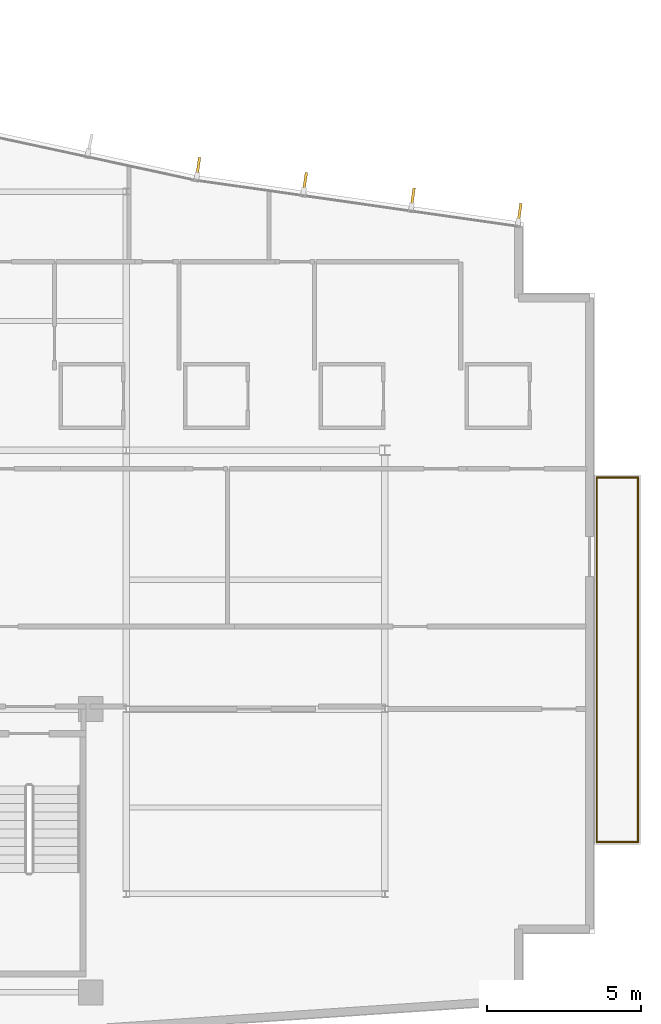
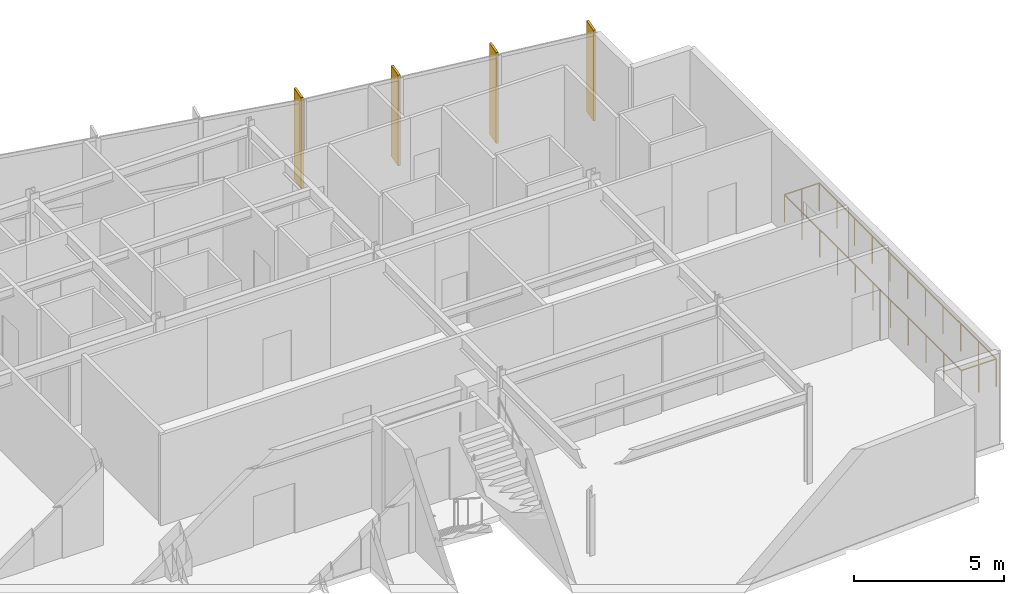
# One storey, part 15 of 16: 4 railings, 4 shading devices.
"""IFC4 building model written with IfcOpenShell, lengths in metres."""

from ifc_helpers import new_model, si_unit, direction, frame, origin, origin_2d, place, context, subcontext, project, spatial, rectangle, circle, extrude, material, layer, layer_set, type_object, element, save


model = new_model("IFC4")

# Units and contexts
model_context = context("Model", 3, precision=1e-05, world=origin(), true_north=direction((0.0, 1.0)))
body_context = subcontext(model_context, "Body", "Model", "MODEL_VIEW")
ifc_project = project(units=[si_unit("LENGTHUNIT", "METRE"), si_unit("AREAUNIT", "SQUARE_METRE"), si_unit("VOLUMEUNIT", "CUBIC_METRE"), si_unit("PLANEANGLEUNIT", "RADIAN"), si_unit("MASSUNIT", "GRAM", prefix="KILO")], contexts=[model_context])

# Site, building, storey
site_placement = place(None, origin())
site = spatial("IfcSite", under=ifc_project, at=site_placement, CompositionType="ELEMENT")
building_placement = place(site_placement, origin())
building = spatial("IfcBuilding", under=site, at=building_placement, Name="Varnakote Quay Hospital", CompositionType="ELEMENT")
storey_placement = place(building_placement, frame((0.0, 0.0, 292.10009765625)))
storey = spatial("IfcBuildingStorey", under=building, at=storey_placement, Name="L72", CompositionType="ELEMENT", Elevation=292.10009765625)

# Railings
ifc_material_1 = material(Name="Anodised aluminium 6063-T6 Bronze", Category="aluminium")
railing_type = type_object("IfcRailingType", Name="RLG-EXT-GUARD-1150", PredefinedType="GUARDRAIL", material=ifc_material_1)
railing_1_placement = place(storey_placement, frame((40.47607421875, 7.679931640625, 0.0)))
element("IfcRailing", 1, at=railing_1_placement, inside=storey, type_object=railing_type, Name="L72 Zigzag Prow Healing Terrace Safety Guard", PredefinedType="GUARDRAIL", context=body_context, shape_type="SweptSolid", body=[
    extrude(circle(Radius=0.02392578125, at=origin_2d()), frame((0.0, 0.0, 1.1259765625), z_axis=(0.0, 1.0, 0.0), x_axis=(-1.0, 0.0, 0.0)), (0.0, 0.0, 1.0), 11.840087890625),
    extrude(circle(Radius=0.02099609375, at=origin_2d()), origin(), (0.0, 0.0, 1.0), 1.101806640625),
    extrude(circle(Radius=0.02099609375, at=origin_2d()), frame((0.0, 1.18408203125, 0.0)), (0.0, 0.0, 1.0), 1.101806640625),
    extrude(circle(Radius=0.02099609375, at=origin_2d()), frame((0.0, 2.367919921875, 0.0)), (0.0, 0.0, 1.0), 1.101806640625),
    extrude(circle(Radius=0.02099609375, at=origin_2d()), frame((0.0, 3.552001953125, 0.0)), (0.0, 0.0, 1.0), 1.101806640625),
    extrude(circle(Radius=0.02099609375, at=origin_2d()), frame((0.0, 4.736083984375, 0.0)), (0.0, 0.0, 1.0), 1.101806640625),
    extrude(circle(Radius=0.02099609375, at=origin_2d()), frame((0.0, 5.919921875, 0.0)), (0.0, 0.0, 1.0), 1.101806640625),
    extrude(circle(Radius=0.02099609375, at=origin_2d()), frame((0.0, 7.10400390625, 0.0)), (0.0, 0.0, 1.0), 1.101806640625),
    extrude(circle(Radius=0.02099609375, at=origin_2d()), frame((0.0, 8.2880859375, 0.0)), (0.0, 0.0, 1.0), 1.101806640625),
    extrude(circle(Radius=0.02099609375, at=origin_2d()), frame((0.0, 9.47216796875, 0.0)), (0.0, 0.0, 1.0), 1.101806640625),
    extrude(circle(Radius=0.02099609375, at=origin_2d()), frame((0.0, 10.656005859375, 0.0)), (0.0, 0.0, 1.0), 1.101806640625),
    extrude(circle(Radius=0.02099609375, at=origin_2d()), frame((0.0, 11.840087890625, 0.0)), (0.0, 0.0, 1.0), 1.101806640625),
])
railing_2_placement = place(storey_placement, frame((40.47607421875, 19.52001953125, 0.0)))
element("IfcRailing", 2, at=railing_2_placement, inside=storey, type_object=railing_type, Name="L72 Zigzag Prow Healing Terrace Safety Guard", PredefinedType="GUARDRAIL", context=body_context, shape_type="SweptSolid", body=[
    extrude(circle(Radius=0.02392578125, at=origin_2d()), frame((0.0, 0.0, 1.1259765625), z_axis=(1.0, 0.0, 0.0), x_axis=(0.0, 1.0, 0.0)), (0.0, 0.0, 1.0), 1.343994140625),
    extrude(circle(Radius=0.02099609375, at=origin_2d()), origin(), (0.0, 0.0, 1.0), 1.101806640625),
    extrude(circle(Radius=0.02099609375, at=origin_2d()), frame((0.671875, 0.0, 0.0)), (0.0, 0.0, 1.0), 1.101806640625),
    extrude(circle(Radius=0.02099609375, at=origin_2d()), frame((1.343994140625, 0.0, 0.0)), (0.0, 0.0, 1.0), 1.101806640625),
])
railing_3_placement = place(storey_placement, frame((41.820068359375, 19.52001953125, 0.0)))
element("IfcRailing", 3, at=railing_3_placement, inside=storey, type_object=railing_type, Name="L72 Zigzag Prow Healing Terrace Safety Guard", PredefinedType="GUARDRAIL", context=body_context, shape_type="SweptSolid", body=[
    extrude(circle(Radius=0.02392578125, at=origin_2d()), frame((0.0, 0.0, 1.1259765625), z_axis=(0.0, -1.0, 0.0), x_axis=(1.0, 0.0, 0.0)), (0.0, 0.0, 1.0), 11.840087890625),
    extrude(circle(Radius=0.02099609375, at=origin_2d()), origin(), (0.0, 0.0, 1.0), 1.101806640625),
    extrude(circle(Radius=0.02099609375, at=origin_2d()), frame((0.0, -1.18408203125, 0.0)), (0.0, 0.0, 1.0), 1.101806640625),
    extrude(circle(Radius=0.02099609375, at=origin_2d()), frame((0.0, -2.367919921875, 0.0)), (0.0, 0.0, 1.0), 1.101806640625),
    extrude(circle(Radius=0.02099609375, at=origin_2d()), frame((0.0, -3.552001953125, 0.0)), (0.0, 0.0, 1.0), 1.101806640625),
    extrude(circle(Radius=0.02099609375, at=origin_2d()), frame((0.0, -4.736083984375, 0.0)), (0.0, 0.0, 1.0), 1.101806640625),
    extrude(circle(Radius=0.02099609375, at=origin_2d()), frame((0.0, -5.919921875, 0.0)), (0.0, 0.0, 1.0), 1.101806640625),
    extrude(circle(Radius=0.02099609375, at=origin_2d()), frame((0.0, -7.10400390625, 0.0)), (0.0, 0.0, 1.0), 1.101806640625),
    extrude(circle(Radius=0.02099609375, at=origin_2d()), frame((0.0, -8.2880859375, 0.0)), (0.0, 0.0, 1.0), 1.101806640625),
    extrude(circle(Radius=0.02099609375, at=origin_2d()), frame((0.0, -9.47216796875, 0.0)), (0.0, 0.0, 1.0), 1.101806640625),
    extrude(circle(Radius=0.02099609375, at=origin_2d()), frame((0.0, -10.656005859375, 0.0)), (0.0, 0.0, 1.0), 1.101806640625),
    extrude(circle(Radius=0.02099609375, at=origin_2d()), frame((0.0, -11.840087890625, 0.0)), (0.0, 0.0, 1.0), 1.101806640625),
])
railing_4_placement = place(storey_placement, frame((41.820068359375, 7.679931640625, 0.0)))
element("IfcRailing", 4, at=railing_4_placement, inside=storey, type_object=railing_type, Name="L72 Zigzag Prow Healing Terrace Safety Guard", PredefinedType="GUARDRAIL", context=body_context, shape_type="SweptSolid", body=[
    extrude(circle(Radius=0.02392578125, at=origin_2d()), frame((0.0, 0.0, 1.1259765625), z_axis=(-1.0, 0.0, 0.0), x_axis=(0.0, -1.0, 0.0)), (0.0, 0.0, 1.0), 1.343994140625),
    extrude(circle(Radius=0.02099609375, at=origin_2d()), origin(), (0.0, 0.0, 1.0), 1.101806640625),
    extrude(circle(Radius=0.02099609375, at=origin_2d()), frame((-0.671875, 0.0, 0.0)), (0.0, 0.0, 1.0), 1.101806640625),
    extrude(circle(Radius=0.02099609375, at=origin_2d()), frame((-1.343994140625, 0.0, 0.0)), (0.0, 0.0, 1.0), 1.101806640625),
])

# Shading devices
ifc_material_2 = material(Name="Anodised aluminium 6063-T6 Bronze", Category="aluminium")
ifc_layer = layer(ifc_material_2, 0.0849609375)
ifc_layer_set = layer_set([ifc_layer], Name="Anodised aluminium 6063-T6 Bronze")
shading_device_type = type_object("IfcShadingDeviceType", Name="SHD-BRONZE-FIN-620", PredefinedType="USERDEFINED", material=ifc_layer_set)
for number, where, z_axis, x_axis, name in (
    (5, (37.971435546875, 28.111328125, 0.0), (0.0, 0.0, 1.0), (-0.141592364445, -0.989925048845, 0.0), "L72 Anodised Bronze Vertical Shading FIN"),
    (6, (34.5048828125, 28.607177734375, 0.0), (0.0, 0.0, 1.0), (-0.141592364445, -0.989925048845, 0.0), "L72 Anodised Bronze Vertical Shading FIN"),
    (7, (31.006103515625, 29.107421875, 0.0), (0.0, 0.0, 1.0), (-0.141592364445, -0.989925048845, 0.0), "L72 Anodised Bronze Vertical Shading FIN"),
    (8, (27.53955078125, 29.603271484375, 0.0), (0.0, 0.0, 1.0), (-0.141592364445, -0.989925048845, 0.0), "L72 Anodised Bronze Vertical Shading FIN"),
):
    element("IfcShadingDevice", number, at=place(storey_placement, frame(where, z_axis=z_axis, x_axis=x_axis)), inside=storey, type_object=shading_device_type, Name=name, ObjectType="FIN", PredefinedType="USERDEFINED", context=body_context, shape_type="SweptSolid", body=[
        extrude(rectangle(XDim=0.6201171875, YDim=0.0849609375, at=origin_2d()), origin(), (0.0, 0.0, 1.0), 3.7099609375),
    ])

save(model, "model.ifc")
